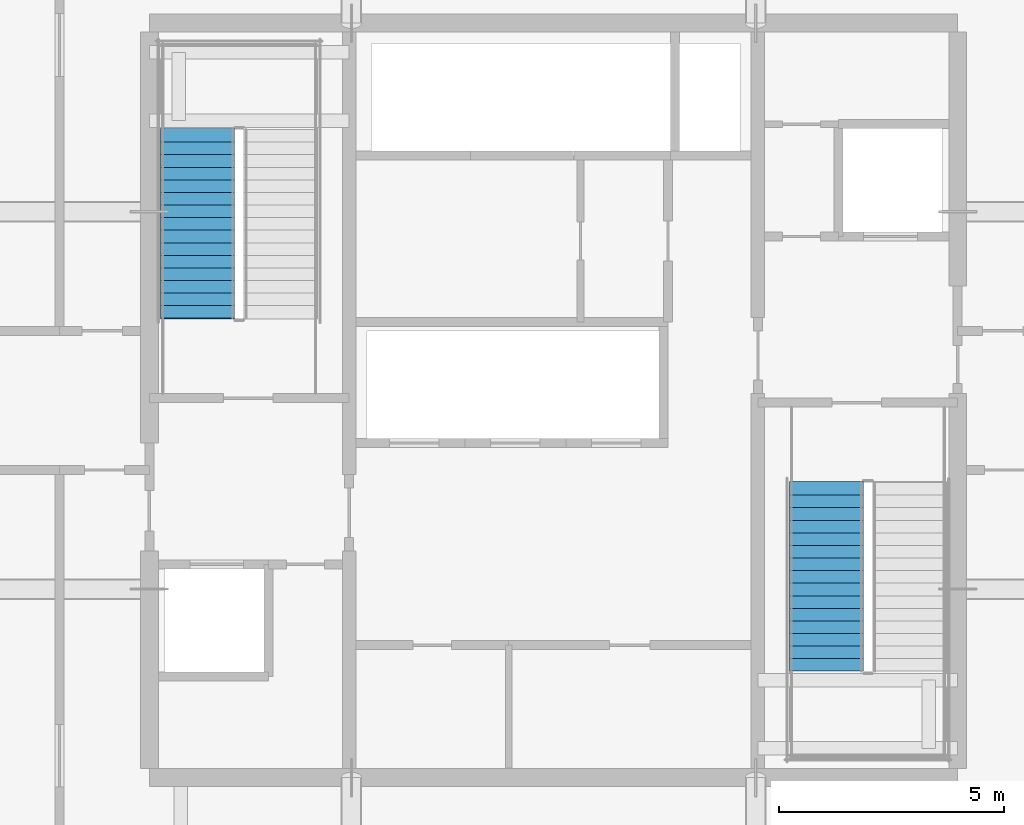
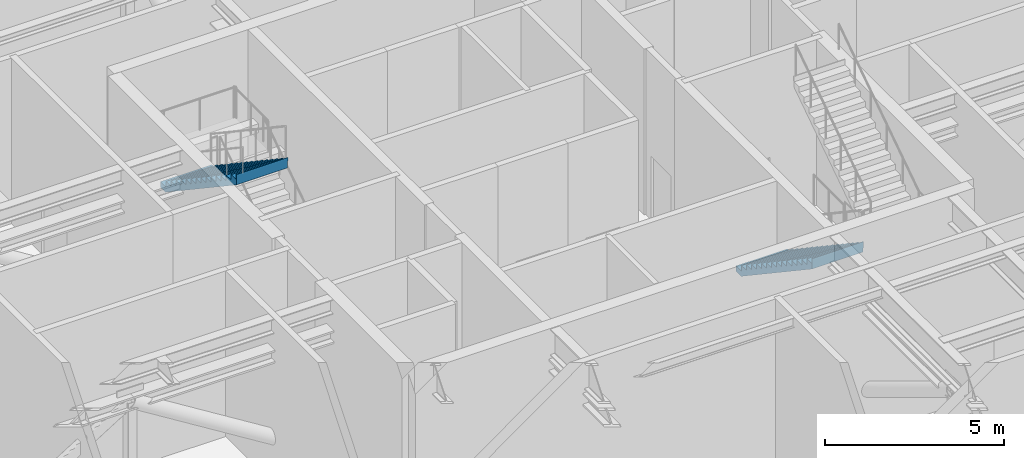
# One storey, part 18 of 22: 2 stair flights, 2 elements without a shape of their own.
"""IFC4 building model written with IfcOpenShell, lengths in metres."""

from ifc_helpers import new_model, si_unit, direction, frame, origin, place, context, subcontext, project, spatial, polygons, material, type_object, element, aggregate, save


model = new_model("IFC4")

# Units and contexts
model_context = context("Model", 3, precision=1e-05, world=origin(), true_north=direction((0.0, 1.0)))
body_context = subcontext(model_context, "Body", "Model", "MODEL_VIEW")
ifc_project = project(units=[si_unit("LENGTHUNIT", "METRE"), si_unit("AREAUNIT", "SQUARE_METRE"), si_unit("VOLUMEUNIT", "CUBIC_METRE"), si_unit("PLANEANGLEUNIT", "RADIAN"), si_unit("MASSUNIT", "GRAM", prefix="KILO")], contexts=[model_context])

# Site, building, storey
site_placement = place(None, origin())
site = spatial("IfcSite", under=ifc_project, at=site_placement, CompositionType="ELEMENT")
building_placement = place(site_placement, origin())
building = spatial("IfcBuilding", under=site, at=building_placement, Name="Serunith Strait Residences", CompositionType="ELEMENT")
storey_placement = place(building_placement, frame((0.0, 0.0, 198.89990234375)))
storey = spatial("IfcBuildingStorey", under=building, at=storey_placement, Name="L50", CompositionType="ELEMENT", Elevation=198.89990234375)

# Stair, stair flight
ifc_material = material(Name="Concrete C50/60", Category="concrete")
stair_type_1 = type_object("IfcStairType", Name="STR-CORE-1", PredefinedType="HALF_TURN_STAIR", material=ifc_material)
stair_1_placement = place(storey_placement, origin())
stair_1 = element("IfcStair", 1, at=stair_1_placement, inside=storey, type_object=stair_type_1, Name="L50 Protected Escape Stair ST-1", PredefinedType="HALF_TURN_STAIR")
stair_flight_type_1 = type_object("IfcStairFlightType", Name="FLT-CORE-1", PredefinedType="STRAIGHT", material=ifc_material)
stair_flight_1_placement = place(storey_placement, frame((24.47509765625, 31.22998046875, 3.0), z_axis=(0.0, 0.0, 1.0), x_axis=(0.0, -1.0, 0.0)))
stair_flight_1 = element("IfcStairFlight", 2, at=stair_flight_1_placement, type_object=stair_flight_type_1, Name="ST-1 flight 2", NumberOfRisers=16, NumberOfTreads=15, PredefinedType="STRAIGHT", RiserHeight=0.1875, TreadLength=0.28, context=body_context, shape_type="Tessellation", body=[
    polygons([(-0.02001953125, -0.824951171875, 0.0), (-0.02001953125, -0.824951171875, 0.1875), (0.280029296875, -0.824951171875, 0.1875), (0.280029296875, -0.824951171875, 0.375), (0.56005859375, -0.824951171875, 0.375), (0.56005859375, -0.824951171875, 0.5625), (0.840087890625, -0.824951171875, 0.5625), (0.840087890625, -0.824951171875, 0.75), (1.1201171875, -0.824951171875, 0.75), (1.1201171875, -0.824951171875, 0.9375), (1.39990234375, -0.824951171875, 0.9375), (1.39990234375, -0.824951171875, 1.125), (1.679931640625, -0.824951171875, 1.125), (1.679931640625, -0.824951171875, 1.3125), (1.9599609375, -0.824951171875, 1.3125), (1.9599609375, -0.824951171875, 1.5), (2.239990234375, -0.824951171875, 1.5), (2.239990234375, -0.824951171875, 1.6875), (2.52001953125, -0.824951171875, 1.6875), (2.52001953125, -0.824951171875, 1.875), (2.800048828125, -0.824951171875, 1.875), (2.800048828125, -0.824951171875, 2.0625), (3.080078125, -0.824951171875, 2.0625), (3.080078125, -0.824951171875, 2.25), (3.360107421875, -0.824951171875, 2.25), (3.360107421875, -0.824951171875, 2.4375), (3.639892578125, -0.824951171875, 2.4375), (3.639892578125, -0.824951171875, 2.625), (3.919921875, -0.824951171875, 2.625), (3.919921875, -0.824951171875, 2.8125), (4.199951171875, -0.824951171875, 2.8125), (4.199951171875, -0.824951171875, 3.0), (4.219970703125, -0.824951171875, 3.0), (4.219970703125, -0.824951171875, 2.93994140625), (4.199951171875, -0.824951171875, 2.632080078125), (0.26953125, -0.824951171875, 0.0), (-0.02001953125, -0.41259765625, 0.0), (-0.02001953125, -0.41259765625, 0.1875), (0.280029296875, -0.41259765625, 0.1875), (0.280029296875, -0.41259765625, 0.375), (0.56005859375, -0.41259765625, 0.375), (0.56005859375, -0.41259765625, 0.5625), (0.840087890625, -0.41259765625, 0.5625), (0.840087890625, -0.41259765625, 0.75), (1.1201171875, -0.41259765625, 0.75), (1.1201171875, -0.41259765625, 0.9375), (1.39990234375, -0.41259765625, 0.9375), (1.39990234375, -0.41259765625, 1.125), (1.679931640625, -0.41259765625, 1.125), (1.679931640625, -0.41259765625, 1.3125), (1.9599609375, -0.41259765625, 1.3125), (1.9599609375, -0.41259765625, 1.5), (2.239990234375, -0.41259765625, 1.5), (2.239990234375, -0.41259765625, 1.6875), (2.52001953125, -0.41259765625, 1.6875), (2.52001953125, -0.41259765625, 1.875), (2.800048828125, -0.41259765625, 1.875), (2.800048828125, -0.41259765625, 2.0625), (3.080078125, -0.41259765625, 2.0625), (3.080078125, -0.41259765625, 2.25), (3.360107421875, -0.41259765625, 2.25), (3.360107421875, -0.41259765625, 2.4375), (3.639892578125, -0.41259765625, 2.4375), (3.639892578125, -0.41259765625, 2.625), (3.919921875, -0.41259765625, 2.625), (3.919921875, -0.41259765625, 2.8125), (4.199951171875, -0.41259765625, 2.8125), (4.199951171875, -0.41259765625, 3.0), (4.219970703125, -0.41259765625, 3.0), (4.219970703125, -0.41259765625, 2.93994140625), (4.199951171875, -0.41259765625, 2.632080078125), (0.26953125, -0.41259765625, 0.0), (-0.02001953125, 0.0, 0.0), (-0.02001953125, 0.0, 0.1875), (0.280029296875, 0.0, 0.1875), (0.280029296875, 0.0, 0.375), (0.56005859375, 0.0, 0.375), (0.56005859375, 0.0, 0.5625), (0.840087890625, 0.0, 0.5625), (0.840087890625, 0.0, 0.75), (1.1201171875, 0.0, 0.75), (1.1201171875, 0.0, 0.9375), (1.39990234375, 0.0, 0.9375), (1.39990234375, 0.0, 1.125), (1.679931640625, 0.0, 1.125), (1.679931640625, 0.0, 1.3125), (1.9599609375, 0.0, 1.3125), (1.9599609375, 0.0, 1.5), (2.239990234375, 0.0, 1.5), (2.239990234375, 0.0, 1.6875), (2.52001953125, 0.0, 1.6875), (2.52001953125, 0.0, 1.875), (2.800048828125, 0.0, 1.875), (2.800048828125, 0.0, 2.0625), (3.080078125, 0.0, 2.0625), (3.080078125, 0.0, 2.25), (3.360107421875, 0.0, 2.25), (3.360107421875, 0.0, 2.4375), (3.639892578125, 0.0, 2.4375), (3.639892578125, 0.0, 2.625), (3.919921875, 0.0, 2.625), (3.919921875, 0.0, 2.8125), (4.199951171875, 0.0, 2.8125), (4.199951171875, 0.0, 3.0), (4.219970703125, 0.0, 3.0), (4.219970703125, 0.0, 2.93994140625), (4.199951171875, 0.0, 2.632080078125), (0.26953125, 0.0, 0.0), (-0.02001953125, 0.41259765625, 0.0), (-0.02001953125, 0.41259765625, 0.1875), (0.280029296875, 0.41259765625, 0.1875), (0.280029296875, 0.41259765625, 0.375), (0.56005859375, 0.41259765625, 0.375), (0.56005859375, 0.41259765625, 0.5625), (0.840087890625, 0.41259765625, 0.5625), (0.840087890625, 0.41259765625, 0.75), (1.1201171875, 0.41259765625, 0.75), (1.1201171875, 0.41259765625, 0.9375), (1.39990234375, 0.41259765625, 0.9375), (1.39990234375, 0.41259765625, 1.125), (1.679931640625, 0.41259765625, 1.125), (1.679931640625, 0.41259765625, 1.3125), (1.9599609375, 0.41259765625, 1.3125), (1.9599609375, 0.41259765625, 1.5), (2.239990234375, 0.41259765625, 1.5), (2.239990234375, 0.41259765625, 1.6875), (2.52001953125, 0.41259765625, 1.6875), (2.52001953125, 0.41259765625, 1.875), (2.800048828125, 0.41259765625, 1.875), (2.800048828125, 0.41259765625, 2.0625), (3.080078125, 0.41259765625, 2.0625), (3.080078125, 0.41259765625, 2.25), (3.360107421875, 0.41259765625, 2.25), (3.360107421875, 0.41259765625, 2.4375), (3.639892578125, 0.41259765625, 2.4375), (3.639892578125, 0.41259765625, 2.625), (3.919921875, 0.41259765625, 2.625), (3.919921875, 0.41259765625, 2.8125), (4.199951171875, 0.41259765625, 2.8125), (4.199951171875, 0.41259765625, 3.0), (4.219970703125, 0.41259765625, 3.0), (4.219970703125, 0.41259765625, 2.93994140625), (4.199951171875, 0.41259765625, 2.632080078125), (0.26953125, 0.41259765625, 0.0), (-0.02001953125, 0.824951171875, 0.0), (-0.02001953125, 0.824951171875, 0.1875), (0.280029296875, 0.824951171875, 0.1875), (0.280029296875, 0.824951171875, 0.375), (0.56005859375, 0.824951171875, 0.375), (0.56005859375, 0.824951171875, 0.5625), (0.840087890625, 0.824951171875, 0.5625), (0.840087890625, 0.824951171875, 0.75), (1.1201171875, 0.824951171875, 0.75), (1.1201171875, 0.824951171875, 0.9375), (1.39990234375, 0.824951171875, 0.9375), (1.39990234375, 0.824951171875, 1.125), (1.679931640625, 0.824951171875, 1.125), (1.679931640625, 0.824951171875, 1.3125), (1.9599609375, 0.824951171875, 1.3125), (1.9599609375, 0.824951171875, 1.5), (2.239990234375, 0.824951171875, 1.5), (2.239990234375, 0.824951171875, 1.6875), (2.52001953125, 0.824951171875, 1.6875), (2.52001953125, 0.824951171875, 1.875), (2.800048828125, 0.824951171875, 1.875), (2.800048828125, 0.824951171875, 2.0625), (3.080078125, 0.824951171875, 2.0625), (3.080078125, 0.824951171875, 2.25), (3.360107421875, 0.824951171875, 2.25), (3.360107421875, 0.824951171875, 2.4375), (3.639892578125, 0.824951171875, 2.4375), (3.639892578125, 0.824951171875, 2.625), (3.919921875, 0.824951171875, 2.625), (3.919921875, 0.824951171875, 2.8125), (4.199951171875, 0.824951171875, 2.8125), (4.199951171875, 0.824951171875, 3.0), (4.219970703125, 0.824951171875, 3.0), (4.219970703125, 0.824951171875, 2.93994140625), (4.199951171875, 0.824951171875, 2.632080078125), (0.26953125, 0.824951171875, 0.0)], [[[1, 2, 38, 37]], [[2, 3, 39, 38]], [[3, 4, 40, 39]], [[4, 5, 41, 40]], [[5, 6, 42, 41]], [[6, 7, 43, 42]], [[7, 8, 44, 43]], [[8, 9, 45, 44]], [[9, 10, 46, 45]], [[10, 11, 47, 46]], [[11, 12, 48, 47]], [[12, 13, 49, 48]], [[13, 14, 50, 49]], [[14, 15, 51, 50]], [[15, 16, 52, 51]], [[16, 17, 53, 52]], [[17, 18, 54, 53]], [[18, 19, 55, 54]], [[19, 20, 56, 55]], [[20, 21, 57, 56]], [[21, 22, 58, 57]], [[22, 23, 59, 58]], [[23, 24, 60, 59]], [[24, 25, 61, 60]], [[25, 26, 62, 61]], [[26, 27, 63, 62]], [[27, 28, 64, 63]], [[28, 29, 65, 64]], [[29, 30, 66, 65]], [[30, 31, 67, 66]], [[31, 32, 68, 67]], [[32, 33, 69, 68]], [[33, 34, 70, 69]], [[34, 35, 71, 70]], [[35, 36, 72, 71]], [[36, 1, 37, 72]], [[37, 38, 74, 73]], [[38, 39, 75, 74]], [[39, 40, 76, 75]], [[40, 41, 77, 76]], [[41, 42, 78, 77]], [[42, 43, 79, 78]], [[43, 44, 80, 79]], [[44, 45, 81, 80]], [[45, 46, 82, 81]], [[46, 47, 83, 82]], [[47, 48, 84, 83]], [[48, 49, 85, 84]], [[49, 50, 86, 85]], [[50, 51, 87, 86]], [[51, 52, 88, 87]], [[52, 53, 89, 88]], [[53, 54, 90, 89]], [[54, 55, 91, 90]], [[55, 56, 92, 91]], [[56, 57, 93, 92]], [[57, 58, 94, 93]], [[58, 59, 95, 94]], [[59, 60, 96, 95]], [[60, 61, 97, 96]], [[61, 62, 98, 97]], [[62, 63, 99, 98]], [[63, 64, 100, 99]], [[64, 65, 101, 100]], [[65, 66, 102, 101]], [[66, 67, 103, 102]], [[67, 68, 104, 103]], [[68, 69, 105, 104]], [[69, 70, 106, 105]], [[70, 71, 107, 106]], [[71, 72, 108, 107]], [[72, 37, 73, 108]], [[73, 74, 110, 109]], [[74, 75, 111, 110]], [[75, 76, 112, 111]], [[76, 77, 113, 112]], [[77, 78, 114, 113]], [[78, 79, 115, 114]], [[79, 80, 116, 115]], [[80, 81, 117, 116]], [[81, 82, 118, 117]], [[82, 83, 119, 118]], [[83, 84, 120, 119]], [[84, 85, 121, 120]], [[85, 86, 122, 121]], [[86, 87, 123, 122]], [[87, 88, 124, 123]], [[88, 89, 125, 124]], [[89, 90, 126, 125]], [[90, 91, 127, 126]], [[91, 92, 128, 127]], [[92, 93, 129, 128]], [[93, 94, 130, 129]], [[94, 95, 131, 130]], [[95, 96, 132, 131]], [[96, 97, 133, 132]], [[97, 98, 134, 133]], [[98, 99, 135, 134]], [[99, 100, 136, 135]], [[100, 101, 137, 136]], [[101, 102, 138, 137]], [[102, 103, 139, 138]], [[103, 104, 140, 139]], [[104, 105, 141, 140]], [[105, 106, 142, 141]], [[106, 107, 143, 142]], [[107, 108, 144, 143]], [[108, 73, 109, 144]], [[109, 110, 146, 145]], [[110, 111, 147, 146]], [[111, 112, 148, 147]], [[112, 113, 149, 148]], [[113, 114, 150, 149]], [[114, 115, 151, 150]], [[115, 116, 152, 151]], [[116, 117, 153, 152]], [[117, 118, 154, 153]], [[118, 119, 155, 154]], [[119, 120, 156, 155]], [[120, 121, 157, 156]], [[121, 122, 158, 157]], [[122, 123, 159, 158]], [[123, 124, 160, 159]], [[124, 125, 161, 160]], [[125, 126, 162, 161]], [[126, 127, 163, 162]], [[127, 128, 164, 163]], [[128, 129, 165, 164]], [[129, 130, 166, 165]], [[130, 131, 167, 166]], [[131, 132, 168, 167]], [[132, 133, 169, 168]], [[133, 134, 170, 169]], [[134, 135, 171, 170]], [[135, 136, 172, 171]], [[136, 137, 173, 172]], [[137, 138, 174, 173]], [[138, 139, 175, 174]], [[139, 140, 176, 175]], [[140, 141, 177, 176]], [[141, 142, 178, 177]], [[142, 143, 179, 178]], [[143, 144, 180, 179]], [[144, 109, 145, 180]], [[36, 35, 34, 33, 32, 31, 30, 29, 28, 27, 26, 25, 24, 23, 22, 21, 20, 19, 18, 17, 16, 15, 14, 13, 12, 11, 10, 9, 8, 7, 6, 5, 4, 3, 2, 1]], [[145, 146, 147, 148, 149, 150, 151, 152, 153, 154, 155, 156, 157, 158, 159, 160, 161, 162, 163, 164, 165, 166, 167, 168, 169, 170, 171, 172, 173, 174, 175, 176, 177, 178, 179, 180]]], closed=True),
])
aggregate(stair_1, [stair_flight_1])

stair_type_2 = type_object("IfcStairType", Name="STR-CORE-2", PredefinedType="HALF_TURN_STAIR", material=ifc_material)
stair_2_placement = place(storey_placement, origin())
stair_2 = element("IfcStair", 3, at=stair_2_placement, inside=storey, type_object=stair_type_2, Name="L50 Protected Escape Stair ST-2", PredefinedType="HALF_TURN_STAIR")
stair_flight_type_2 = type_object("IfcStairFlightType", Name="FLT-CORE-2", PredefinedType="STRAIGHT", material=ifc_material)
stair_flight_2_placement = place(storey_placement, frame((38.47509765625, 23.3701171875, 0.0), z_axis=(0.0, 0.0, 1.0), x_axis=(0.0, -1.0, 0.0)))
stair_flight_2 = element("IfcStairFlight", 4, at=stair_flight_2_placement, type_object=stair_flight_type_2, Name="ST-2 flight 1", NumberOfRisers=16, NumberOfTreads=15, PredefinedType="STRAIGHT", RiserHeight=0.1875, TreadLength=0.28, context=body_context, shape_type="Tessellation", body=[
    polygons([(-0.02001953125, -0.824951171875, 0.0), (-0.02001953125, -0.824951171875, 0.1875), (0.280029296875, -0.824951171875, 0.1875), (0.280029296875, -0.824951171875, 0.375), (0.56005859375, -0.824951171875, 0.375), (0.56005859375, -0.824951171875, 0.5625), (0.840087890625, -0.824951171875, 0.5625), (0.840087890625, -0.824951171875, 0.75), (1.1201171875, -0.824951171875, 0.75), (1.1201171875, -0.824951171875, 0.9375), (1.39990234375, -0.824951171875, 0.9375), (1.39990234375, -0.824951171875, 1.125), (1.679931640625, -0.824951171875, 1.125), (1.679931640625, -0.824951171875, 1.3125), (1.9599609375, -0.824951171875, 1.3125), (1.9599609375, -0.824951171875, 1.5), (2.239990234375, -0.824951171875, 1.5), (2.239990234375, -0.824951171875, 1.6875), (2.52001953125, -0.824951171875, 1.6875), (2.52001953125, -0.824951171875, 1.875), (2.800048828125, -0.824951171875, 1.875), (2.800048828125, -0.824951171875, 2.0625), (3.080078125, -0.824951171875, 2.0625), (3.080078125, -0.824951171875, 2.25), (3.360107421875, -0.824951171875, 2.25), (3.360107421875, -0.824951171875, 2.4375), (3.639892578125, -0.824951171875, 2.4375), (3.639892578125, -0.824951171875, 2.625), (3.919921875, -0.824951171875, 2.625), (3.919921875, -0.824951171875, 2.8125), (4.199951171875, -0.824951171875, 2.8125), (4.199951171875, -0.824951171875, 3.0), (4.219970703125, -0.824951171875, 3.0), (4.219970703125, -0.824951171875, 2.93994140625), (4.199951171875, -0.824951171875, 2.632080078125), (0.26953125, -0.824951171875, 0.0), (-0.02001953125, -0.41259765625, 0.0), (-0.02001953125, -0.41259765625, 0.1875), (0.280029296875, -0.41259765625, 0.1875), (0.280029296875, -0.41259765625, 0.375), (0.56005859375, -0.41259765625, 0.375), (0.56005859375, -0.41259765625, 0.5625), (0.840087890625, -0.41259765625, 0.5625), (0.840087890625, -0.41259765625, 0.75), (1.1201171875, -0.41259765625, 0.75), (1.1201171875, -0.41259765625, 0.9375), (1.39990234375, -0.41259765625, 0.9375), (1.39990234375, -0.41259765625, 1.125), (1.679931640625, -0.41259765625, 1.125), (1.679931640625, -0.41259765625, 1.3125), (1.9599609375, -0.41259765625, 1.3125), (1.9599609375, -0.41259765625, 1.5), (2.239990234375, -0.41259765625, 1.5), (2.239990234375, -0.41259765625, 1.6875), (2.52001953125, -0.41259765625, 1.6875), (2.52001953125, -0.41259765625, 1.875), (2.800048828125, -0.41259765625, 1.875), (2.800048828125, -0.41259765625, 2.0625), (3.080078125, -0.41259765625, 2.0625), (3.080078125, -0.41259765625, 2.25), (3.360107421875, -0.41259765625, 2.25), (3.360107421875, -0.41259765625, 2.4375), (3.639892578125, -0.41259765625, 2.4375), (3.639892578125, -0.41259765625, 2.625), (3.919921875, -0.41259765625, 2.625), (3.919921875, -0.41259765625, 2.8125), (4.199951171875, -0.41259765625, 2.8125), (4.199951171875, -0.41259765625, 3.0), (4.219970703125, -0.41259765625, 3.0), (4.219970703125, -0.41259765625, 2.93994140625), (4.199951171875, -0.41259765625, 2.632080078125), (0.26953125, -0.41259765625, 0.0), (-0.02001953125, 0.0, 0.0), (-0.02001953125, 0.0, 0.1875), (0.280029296875, 0.0, 0.1875), (0.280029296875, 0.0, 0.375), (0.56005859375, 0.0, 0.375), (0.56005859375, 0.0, 0.5625), (0.840087890625, 0.0, 0.5625), (0.840087890625, 0.0, 0.75), (1.1201171875, 0.0, 0.75), (1.1201171875, 0.0, 0.9375), (1.39990234375, 0.0, 0.9375), (1.39990234375, 0.0, 1.125), (1.679931640625, 0.0, 1.125), (1.679931640625, 0.0, 1.3125), (1.9599609375, 0.0, 1.3125), (1.9599609375, 0.0, 1.5), (2.239990234375, 0.0, 1.5), (2.239990234375, 0.0, 1.6875), (2.52001953125, 0.0, 1.6875), (2.52001953125, 0.0, 1.875), (2.800048828125, 0.0, 1.875), (2.800048828125, 0.0, 2.0625), (3.080078125, 0.0, 2.0625), (3.080078125, 0.0, 2.25), (3.360107421875, 0.0, 2.25), (3.360107421875, 0.0, 2.4375), (3.639892578125, 0.0, 2.4375), (3.639892578125, 0.0, 2.625), (3.919921875, 0.0, 2.625), (3.919921875, 0.0, 2.8125), (4.199951171875, 0.0, 2.8125), (4.199951171875, 0.0, 3.0), (4.219970703125, 0.0, 3.0), (4.219970703125, 0.0, 2.93994140625), (4.199951171875, 0.0, 2.632080078125), (0.26953125, 0.0, 0.0), (-0.02001953125, 0.41259765625, 0.0), (-0.02001953125, 0.41259765625, 0.1875), (0.280029296875, 0.41259765625, 0.1875), (0.280029296875, 0.41259765625, 0.375), (0.56005859375, 0.41259765625, 0.375), (0.56005859375, 0.41259765625, 0.5625), (0.840087890625, 0.41259765625, 0.5625), (0.840087890625, 0.41259765625, 0.75), (1.1201171875, 0.41259765625, 0.75), (1.1201171875, 0.41259765625, 0.9375), (1.39990234375, 0.41259765625, 0.9375), (1.39990234375, 0.41259765625, 1.125), (1.679931640625, 0.41259765625, 1.125), (1.679931640625, 0.41259765625, 1.3125), (1.9599609375, 0.41259765625, 1.3125), (1.9599609375, 0.41259765625, 1.5), (2.239990234375, 0.41259765625, 1.5), (2.239990234375, 0.41259765625, 1.6875), (2.52001953125, 0.41259765625, 1.6875), (2.52001953125, 0.41259765625, 1.875), (2.800048828125, 0.41259765625, 1.875), (2.800048828125, 0.41259765625, 2.0625), (3.080078125, 0.41259765625, 2.0625), (3.080078125, 0.41259765625, 2.25), (3.360107421875, 0.41259765625, 2.25), (3.360107421875, 0.41259765625, 2.4375), (3.639892578125, 0.41259765625, 2.4375), (3.639892578125, 0.41259765625, 2.625), (3.919921875, 0.41259765625, 2.625), (3.919921875, 0.41259765625, 2.8125), (4.199951171875, 0.41259765625, 2.8125), (4.199951171875, 0.41259765625, 3.0), (4.219970703125, 0.41259765625, 3.0), (4.219970703125, 0.41259765625, 2.93994140625), (4.199951171875, 0.41259765625, 2.632080078125), (0.26953125, 0.41259765625, 0.0), (-0.02001953125, 0.824951171875, 0.0), (-0.02001953125, 0.824951171875, 0.1875), (0.280029296875, 0.824951171875, 0.1875), (0.280029296875, 0.824951171875, 0.375), (0.56005859375, 0.824951171875, 0.375), (0.56005859375, 0.824951171875, 0.5625), (0.840087890625, 0.824951171875, 0.5625), (0.840087890625, 0.824951171875, 0.75), (1.1201171875, 0.824951171875, 0.75), (1.1201171875, 0.824951171875, 0.9375), (1.39990234375, 0.824951171875, 0.9375), (1.39990234375, 0.824951171875, 1.125), (1.679931640625, 0.824951171875, 1.125), (1.679931640625, 0.824951171875, 1.3125), (1.9599609375, 0.824951171875, 1.3125), (1.9599609375, 0.824951171875, 1.5), (2.239990234375, 0.824951171875, 1.5), (2.239990234375, 0.824951171875, 1.6875), (2.52001953125, 0.824951171875, 1.6875), (2.52001953125, 0.824951171875, 1.875), (2.800048828125, 0.824951171875, 1.875), (2.800048828125, 0.824951171875, 2.0625), (3.080078125, 0.824951171875, 2.0625), (3.080078125, 0.824951171875, 2.25), (3.360107421875, 0.824951171875, 2.25), (3.360107421875, 0.824951171875, 2.4375), (3.639892578125, 0.824951171875, 2.4375), (3.639892578125, 0.824951171875, 2.625), (3.919921875, 0.824951171875, 2.625), (3.919921875, 0.824951171875, 2.8125), (4.199951171875, 0.824951171875, 2.8125), (4.199951171875, 0.824951171875, 3.0), (4.219970703125, 0.824951171875, 3.0), (4.219970703125, 0.824951171875, 2.93994140625), (4.199951171875, 0.824951171875, 2.632080078125), (0.26953125, 0.824951171875, 0.0)], [[[1, 2, 38, 37]], [[2, 3, 39, 38]], [[3, 4, 40, 39]], [[4, 5, 41, 40]], [[5, 6, 42, 41]], [[6, 7, 43, 42]], [[7, 8, 44, 43]], [[8, 9, 45, 44]], [[9, 10, 46, 45]], [[10, 11, 47, 46]], [[11, 12, 48, 47]], [[12, 13, 49, 48]], [[13, 14, 50, 49]], [[14, 15, 51, 50]], [[15, 16, 52, 51]], [[16, 17, 53, 52]], [[17, 18, 54, 53]], [[18, 19, 55, 54]], [[19, 20, 56, 55]], [[20, 21, 57, 56]], [[21, 22, 58, 57]], [[22, 23, 59, 58]], [[23, 24, 60, 59]], [[24, 25, 61, 60]], [[25, 26, 62, 61]], [[26, 27, 63, 62]], [[27, 28, 64, 63]], [[28, 29, 65, 64]], [[29, 30, 66, 65]], [[30, 31, 67, 66]], [[31, 32, 68, 67]], [[32, 33, 69, 68]], [[33, 34, 70, 69]], [[34, 35, 71, 70]], [[35, 36, 72, 71]], [[36, 1, 37, 72]], [[37, 38, 74, 73]], [[38, 39, 75, 74]], [[39, 40, 76, 75]], [[40, 41, 77, 76]], [[41, 42, 78, 77]], [[42, 43, 79, 78]], [[43, 44, 80, 79]], [[44, 45, 81, 80]], [[45, 46, 82, 81]], [[46, 47, 83, 82]], [[47, 48, 84, 83]], [[48, 49, 85, 84]], [[49, 50, 86, 85]], [[50, 51, 87, 86]], [[51, 52, 88, 87]], [[52, 53, 89, 88]], [[53, 54, 90, 89]], [[54, 55, 91, 90]], [[55, 56, 92, 91]], [[56, 57, 93, 92]], [[57, 58, 94, 93]], [[58, 59, 95, 94]], [[59, 60, 96, 95]], [[60, 61, 97, 96]], [[61, 62, 98, 97]], [[62, 63, 99, 98]], [[63, 64, 100, 99]], [[64, 65, 101, 100]], [[65, 66, 102, 101]], [[66, 67, 103, 102]], [[67, 68, 104, 103]], [[68, 69, 105, 104]], [[69, 70, 106, 105]], [[70, 71, 107, 106]], [[71, 72, 108, 107]], [[72, 37, 73, 108]], [[73, 74, 110, 109]], [[74, 75, 111, 110]], [[75, 76, 112, 111]], [[76, 77, 113, 112]], [[77, 78, 114, 113]], [[78, 79, 115, 114]], [[79, 80, 116, 115]], [[80, 81, 117, 116]], [[81, 82, 118, 117]], [[82, 83, 119, 118]], [[83, 84, 120, 119]], [[84, 85, 121, 120]], [[85, 86, 122, 121]], [[86, 87, 123, 122]], [[87, 88, 124, 123]], [[88, 89, 125, 124]], [[89, 90, 126, 125]], [[90, 91, 127, 126]], [[91, 92, 128, 127]], [[92, 93, 129, 128]], [[93, 94, 130, 129]], [[94, 95, 131, 130]], [[95, 96, 132, 131]], [[96, 97, 133, 132]], [[97, 98, 134, 133]], [[98, 99, 135, 134]], [[99, 100, 136, 135]], [[100, 101, 137, 136]], [[101, 102, 138, 137]], [[102, 103, 139, 138]], [[103, 104, 140, 139]], [[104, 105, 141, 140]], [[105, 106, 142, 141]], [[106, 107, 143, 142]], [[107, 108, 144, 143]], [[108, 73, 109, 144]], [[109, 110, 146, 145]], [[110, 111, 147, 146]], [[111, 112, 148, 147]], [[112, 113, 149, 148]], [[113, 114, 150, 149]], [[114, 115, 151, 150]], [[115, 116, 152, 151]], [[116, 117, 153, 152]], [[117, 118, 154, 153]], [[118, 119, 155, 154]], [[119, 120, 156, 155]], [[120, 121, 157, 156]], [[121, 122, 158, 157]], [[122, 123, 159, 158]], [[123, 124, 160, 159]], [[124, 125, 161, 160]], [[125, 126, 162, 161]], [[126, 127, 163, 162]], [[127, 128, 164, 163]], [[128, 129, 165, 164]], [[129, 130, 166, 165]], [[130, 131, 167, 166]], [[131, 132, 168, 167]], [[132, 133, 169, 168]], [[133, 134, 170, 169]], [[134, 135, 171, 170]], [[135, 136, 172, 171]], [[136, 137, 173, 172]], [[137, 138, 174, 173]], [[138, 139, 175, 174]], [[139, 140, 176, 175]], [[140, 141, 177, 176]], [[141, 142, 178, 177]], [[142, 143, 179, 178]], [[143, 144, 180, 179]], [[144, 109, 145, 180]], [[36, 35, 34, 33, 32, 31, 30, 29, 28, 27, 26, 25, 24, 23, 22, 21, 20, 19, 18, 17, 16, 15, 14, 13, 12, 11, 10, 9, 8, 7, 6, 5, 4, 3, 2, 1]], [[145, 146, 147, 148, 149, 150, 151, 152, 153, 154, 155, 156, 157, 158, 159, 160, 161, 162, 163, 164, 165, 166, 167, 168, 169, 170, 171, 172, 173, 174, 175, 176, 177, 178, 179, 180]]], closed=True),
])
aggregate(stair_2, [stair_flight_2])

save(model, "model.ifc")
